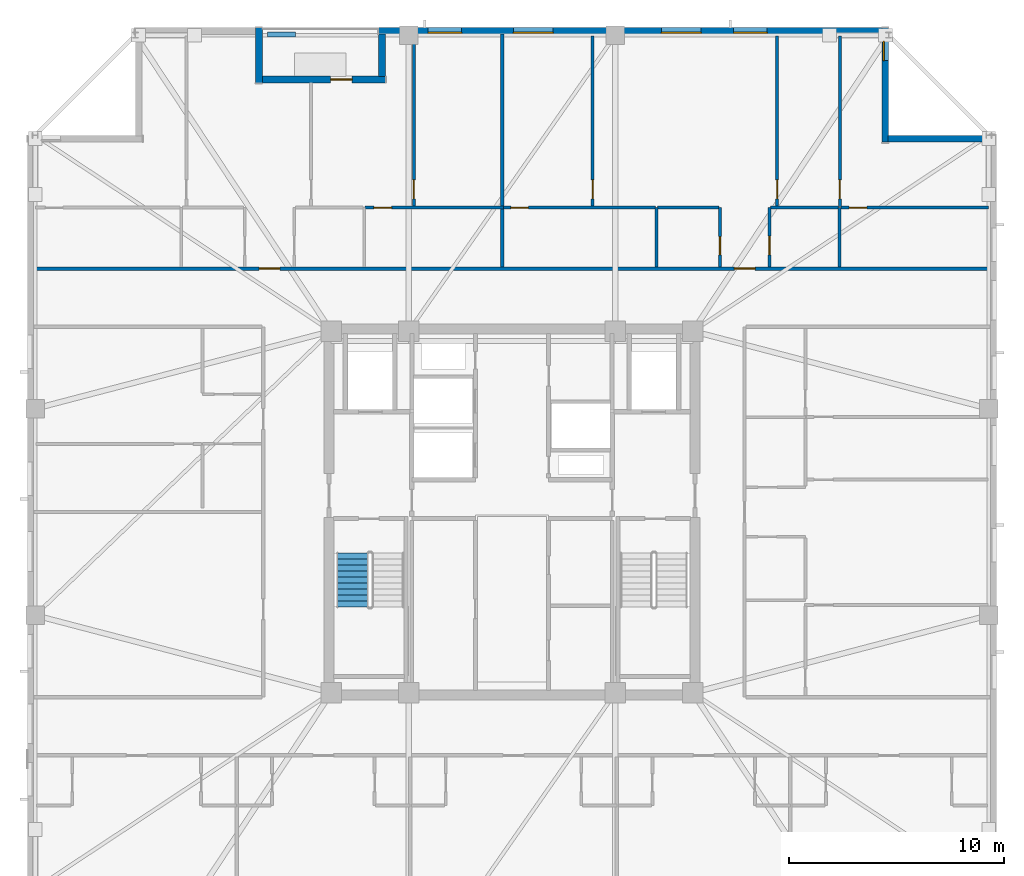
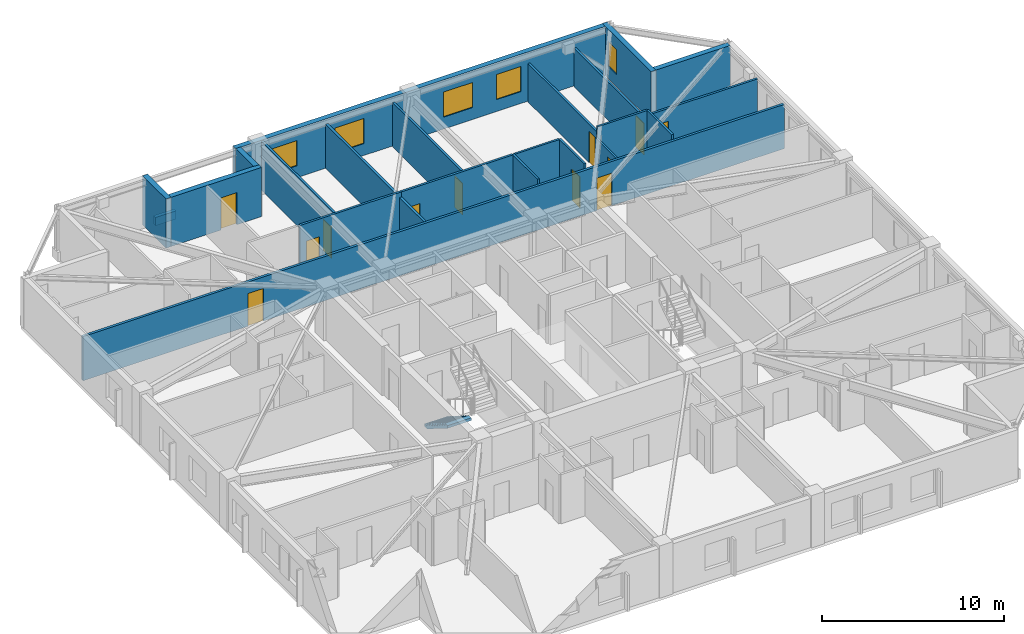
# One storey, part 11 of 17: 22 walls, 12 doors, 5 windows, 1 stair flight, 17 openings, 1 element without a shape of its own.
"""IFC4 building model written with IfcOpenShell, lengths in metres."""

import ifcopenshell
import ifcopenshell.guid

model = None  # the IFC model being written
_history = None  # IfcOwnerHistory: only IFC2X3 demands one
_inside = {}  # id of a spatial element -> (the spatial element, [elements in it])
_under = {}  # id of a project, library or spatial element -> (it, [spatial elements below it])
_declared = {}  # id of a project -> (the project, [libraries it declares])
_typed = {}  # id of a type object -> (the type object, [elements of that type])
_made_of = {}  # id of a material, layer set ... -> (it, [elements and type objects made of it])


def new_model(schema):
    """Start an empty IFC model of exactly this schema.

    Asked for "IFC4X3", IfcOpenShell would pick the latest addendum, in which some entities
    have other attributes; the version numbers below select the first issue.
    IFC2X3 requires an IfcOwnerHistory on every rooted entity: one is made here for all.
    """
    global model, _history
    if schema == "IFC4X3":
        model = ifcopenshell.file(schema_version=(4, 3, 0, 0))
    else:
        model = ifcopenshell.file(schema=schema)
    _inside.clear()
    _under.clear()
    _declared.clear()
    _typed.clear()
    _made_of.clear()
    _history = None
    if model.schema == "IFC2X3":
        org = make("IfcOrganization", Name="unknown")
        user = make(
            "IfcPersonAndOrganization",
            ThePerson=make("IfcPerson", FamilyName="unknown"),
            TheOrganization=org,
        )
        app = make(
            "IfcApplication",
            ApplicationDeveloper=org,
            Version="unknown",
            ApplicationFullName="unknown",
            ApplicationIdentifier="unknown",
        )
        _history = make(
            "IfcOwnerHistory",
            OwningUser=user,
            OwningApplication=app,
            ChangeAction="ADDED",
            CreationDate=0,
        )
    return model


def make(cls, **values):
    """One entity of the class cls with the attributes given. An attribute that is None is left unset."""
    return model.create_entity(
        cls, **{name: value for name, value in values.items() if value is not None}
    )


def rooted(cls, **values):
    """An entity with a GlobalId (a new one), such as an element, a storey or a relation."""
    return make(cls, GlobalId=ifcopenshell.guid.new(), OwnerHistory=_history, **values)


def si_unit(unit_type, name, prefix=None):
    """IfcSIUnit, for example si_unit("LENGTHUNIT", "METRE", prefix="MILLI")."""
    return make("IfcSIUnit", UnitType=unit_type, Prefix=prefix, Name=name)


def assignment(units):
    """IfcUnitAssignment: the units of a project."""
    return None if units is None else make("IfcUnitAssignment", Units=units)


def point(xyz):
    """IfcCartesianPoint."""
    return None if xyz is None else make("IfcCartesianPoint", Coordinates=xyz)


def direction(xyz):
    """IfcDirection."""
    return None if xyz is None else make("IfcDirection", DirectionRatios=xyz)


def frame(location, z_axis=None, x_axis=None):
    """IfcAxis2Placement3D, a coordinate frame: its origin and axes. An axis left out is left unset."""
    return make(
        "IfcAxis2Placement3D",
        Location=point(location),
        Axis=direction(z_axis),
        RefDirection=direction(x_axis),
    )


def frame_2d(location, x_axis=None):
    """IfcAxis2Placement2D, a coordinate frame in the plane: its origin and x axis."""
    return make(
        "IfcAxis2Placement2D", Location=point(location), RefDirection=direction(x_axis)
    )


def origin():
    """The frame at (0, 0, 0) with its axes left unset."""
    return frame((0.0, 0.0, 0.0))


def place(relative_to, where):
    """IfcLocalPlacement: puts the frame where relative to a parent placement (None: the world)."""
    return make(
        "IfcLocalPlacement", PlacementRelTo=relative_to, RelativePlacement=where
    )


def context(
    kind, dimensions, precision=None, world=None, true_north=None, identifier=None
):
    """IfcGeometricRepresentationContext, for example the 3D "Model" context."""
    return make(
        "IfcGeometricRepresentationContext",
        ContextIdentifier=identifier,
        ContextType=kind,
        CoordinateSpaceDimension=dimensions,
        Precision=precision,
        WorldCoordinateSystem=world,
        TrueNorth=true_north,
    )


def subcontext(parent, identifier, kind, view, scale=None):
    """IfcGeometricRepresentationSubContext, for example "Body" below "Model"."""
    return make(
        "IfcGeometricRepresentationSubContext",
        ContextIdentifier=identifier,
        ContextType=kind,
        ParentContext=parent,
        TargetScale=scale,
        TargetView=view,
    )


def project(units=None, contexts=None):
    """IfcProject with its units and contexts."""
    return rooted(
        "IfcProject",
        Name="project",
        RepresentationContexts=contexts,
        UnitsInContext=assignment(units),
    )


def spatial(cls, under=None, at=None, **own):
    """A site, building, storey or space (cls), placed at a placement, below another one or the project."""
    s = rooted(cls, ObjectPlacement=at, **own)
    if under is not None:
        _under.setdefault(under.id(), (under, []))[1].append(s)
    return s


def polyline(points):
    """IfcPolyline through the points."""
    return make("IfcPolyline", Points=[point(p) for p in points])


def profile(cls, at=None, kind="AREA", **sizes):
    """A parametric profile (cls). Its sizes go by their IFC names, for example OverallWidth=200.0."""
    return make(cls, ProfileType=kind, Position=at, **sizes)


def rectangle(**sizes):
    """IfcRectangleProfileDef."""
    return profile("IfcRectangleProfileDef", **sizes)


def outline(outer, holes=None, kind="AREA"):
    """IfcArbitraryClosedProfileDef: a profile drawn as a closed curve; with holes, ...WithVoids."""
    if holes is None:
        return make("IfcArbitraryClosedProfileDef", ProfileType=kind, OuterCurve=outer)
    return make(
        "IfcArbitraryProfileDefWithVoids",
        ProfileType=kind,
        OuterCurve=outer,
        InnerCurves=holes,
    )


def extrude(swept, where, along, depth):
    """IfcExtrudedAreaSolid: the profile swept, set in the frame where, extruded along a direction by depth."""
    return make(
        "IfcExtrudedAreaSolid",
        SweptArea=swept,
        Position=where,
        ExtrudedDirection=direction(along),
        Depth=depth,
    )


def shape(context_of_items, identifier, shape_type, items):
    """IfcShapeRepresentation: the items that make up one representation, for example the "Body"."""
    return make(
        "IfcShapeRepresentation",
        ContextOfItems=context_of_items,
        RepresentationIdentifier=identifier,
        RepresentationType=shape_type,
        Items=items,
    )


def material(Name=None, Category=None):
    """IfcMaterial."""
    return make("IfcMaterial", Name=Name, Category=Category)


def layer(
    of_material, thickness, ventilated=None, Name=None, Category=None, Priority=None
):
    """IfcMaterialLayer: one layer of a wall or slab, of a material (None: an air gap)."""
    return make(
        "IfcMaterialLayer",
        Material=of_material,
        LayerThickness=thickness,
        IsVentilated=ventilated,
        Name=Name,
        Category=Category,
        Priority=Priority,
    )


def layer_set(layers, Name=None):
    """IfcMaterialLayerSet."""
    return make("IfcMaterialLayerSet", MaterialLayers=layers, LayerSetName=Name)


def made_of(thing, what):
    """Note that an element or type object is made of a material, layer set ...; save() writes the relation."""
    if what is not None:
        _made_of.setdefault(what.id(), (what, []))[1].append(thing)
    return thing


def type_object(cls, material=None, **own):
    """A type object (cls), such as IfcWallType, which elements share."""
    return made_of(rooted(cls, **own), material)


def element(
    cls,
    number,
    at=None,
    inside=None,
    cuts=None,
    type_object=None,
    material=None,
    context=None,
    identifier="Body",
    shape_type=None,
    held_by="IfcProductDefinitionShape",
    body=None,
    shapes=None,
    **own,
):
    """One element of the class cls, such as IfcWall. Its Tag is "e" and its number.

    at: its placement. inside: the storey or other place that contains it. cuts: it is an
    opening in that element (IfcRelVoidsElement). A single representation is given by context,
    identifier, shape_type and body (its items); several are given by shapes. held_by: the class
    of the entity that holds the representations. save() writes the other relations.
    """
    e = rooted(cls, Tag="e%d" % number, ObjectPlacement=at, **own)
    if body is not None:
        shapes = [shape(context, identifier, shape_type, body)]
    if shapes is not None:
        e.Representation = make(held_by, Representations=shapes)
    if inside is not None:
        _inside.setdefault(inside.id(), (inside, []))[1].append(e)
    if cuts is not None:
        rooted(
            "IfcRelVoidsElement", RelatingBuildingElement=cuts, RelatedOpeningElement=e
        )
    if type_object is not None:
        _typed.setdefault(type_object.id(), (type_object, []))[1].append(e)
    return made_of(e, material)


def fill(opening, filler):
    """IfcRelFillsElement: the door or window that sits in an opening."""
    return rooted(
        "IfcRelFillsElement",
        RelatingOpeningElement=opening,
        RelatedBuildingElement=filler,
    )


def aggregate(whole, parts):
    """IfcRelAggregates: a whole, such as a stair, and the parts it consists of."""
    return rooted("IfcRelAggregates", RelatingObject=whole, RelatedObjects=parts)


def save(model, path):
    """Write the relations noted so far, then the file.

    IfcRelAggregates (storeys below a building ...), IfcRelContainedInSpatialStructure (elements
    in a storey), IfcRelDefinesByType, IfcRelAssociatesMaterial and IfcRelDeclares: one each for
    every whole, place, type object, material and project.
    """
    for whole, parts in _under.values():
        aggregate(whole, parts)
    for where, things in _inside.values():
        rooted(
            "IfcRelContainedInSpatialStructure",
            RelatedElements=things,
            RelatingStructure=where,
        )
    for kind, things in _typed.values():
        rooted("IfcRelDefinesByType", RelatedObjects=things, RelatingType=kind)
    for what, things in _made_of.values():
        rooted("IfcRelAssociatesMaterial", RelatedObjects=things, RelatingMaterial=what)
    for by, libraries in _declared.values():
        rooted("IfcRelDeclares", RelatingContext=by, RelatedDefinitions=libraries)
    model.write(path)


model = new_model("IFC4")

# Units and contexts
model_context = context("Model", 3, precision=1e-05, world=origin(), true_north=direction((0.0, 1.0)))
body_context = subcontext(model_context, "Body", "Model", "MODEL_VIEW")
ifc_project = project(units=[si_unit("LENGTHUNIT", "METRE"), si_unit("AREAUNIT", "SQUARE_METRE"), si_unit("VOLUMEUNIT", "CUBIC_METRE"), si_unit("PLANEANGLEUNIT", "RADIAN"), si_unit("MASSUNIT", "GRAM", prefix="KILO")], contexts=[model_context])

# Site, building, storey
site_placement = place(None, origin())
site = spatial("IfcSite", under=ifc_project, at=site_placement, CompositionType="ELEMENT")
building_placement = place(site_placement, origin())
building = spatial("IfcBuilding", under=site, at=building_placement, Name="Cairnveth Concourse Tower", CompositionType="ELEMENT")
storey_placement = place(building_placement, frame((0.0, 0.0, 220.0)))
storey = spatial("IfcBuildingStorey", under=building, at=storey_placement, Name="L60", CompositionType="ELEMENT", Elevation=220.0)

# Wall, openings, doors
ifc_material_1 = material(Name="Gypsum Plasterboard Partition", Category="gypsum")
ifc_layer_1 = layer(ifc_material_1, 0.159912109375)
ifc_layer_set_1 = layer_set([ifc_layer_1], Name="Gypsum Plasterboard Partition")
wall_type_1 = type_object("IfcWallType", Name="ACOUSTIC PARTY WALL 180", PredefinedType="PARTITIONING", material=ifc_layer_set_1)
wall_1_placement = place(storey_placement, frame((29.804931640625, 50.31005859375, 0.0), z_axis=(0.0, 0.0, 1.0), x_axis=(1.0, 0.0, 0.0)))
wall_1 = element("IfcWall", 1, at=wall_1_placement, inside=storey, type_object=wall_type_1, Name="Interior Wall IW-L60-035", PredefinedType="PARTITIONING", context=body_context, shape_type="SweptSolid", body=[
    extrude(rectangle(XDim=44.39013671875, YDim=0.159912109375, at=frame_2d((22.195068359375, 0.0))), origin(), (0.0, 0.0, 1.0), 2.9580078125),
])
opening_1_placement = place(wall_1_placement, frame((10.447509765625, 0.0, 0.0)))
opening_1 = element("IfcOpeningElement", 2, at=opening_1_placement, cuts=wall_1, Name="Opening ID10", PredefinedType="OPENING", context=body_context, shape_type="SweptSolid", body=[
    extrude(rectangle(XDim=0.9599609375, YDim=2.179931640625, at=frame_2d((0.47998046875, 1.08984375))), frame((0.0, 0.08984375, 0.0), z_axis=(0.0, -1.0, 0.0), x_axis=(1.0, 0.0, 0.0)), (0.0, 0.0, 1.0), 0.179931640625),
])
opening_2_placement = place(wall_1_placement, frame((32.527587890625, 0.0, 0.0)))
opening_2 = element("IfcOpeningElement", 3, at=opening_2_placement, cuts=wall_1, Name="Opening ID10", PredefinedType="OPENING", context=body_context, shape_type="SweptSolid", body=[
    extrude(rectangle(XDim=0.9599609375, YDim=2.179931640625, at=frame_2d((0.47998046875, 1.08984375))), frame((0.0, 0.08984375, 0.0), z_axis=(0.0, -1.0, 0.0), x_axis=(1.0, 0.0, 0.0)), (0.0, 0.0, 1.0), 0.179931640625),
])
ifc_material_2 = material(Name="Solid Core Hardwood Timber Leaf", Category="wood")
door_type_1 = type_object("IfcDoorType", Name="FLAT ENTRANCE DOOR 960X2150", OperationType="NOTDEFINED", PredefinedType="DOOR", material=ifc_material_2)
door_1_placement = place(opening_1_placement, origin())
door_1 = element("IfcDoor", 4, at=door_1_placement, inside=storey, type_object=door_type_1, Name="Apartment L60N1 Entrance Door", OperationType="SINGLE_SWING_LEFT", OverallHeight=2.179931640625, OverallWidth=0.9599609375, PredefinedType="DOOR", context=body_context, shape_type="SweptSolid", body=[
    extrude(rectangle(XDim=0.9599609375, YDim=2.179931640625, at=frame_2d((0.47998046875, 1.08984375))), frame((0.0, 0.02490234375, 0.0), z_axis=(0.0, -1.0, 0.0), x_axis=(1.0, 0.0, 0.0)), (0.0, 0.0, 1.0), 0.050048828125),
])
fill(opening_1, door_1)
door_2_placement = place(opening_2_placement, origin())
door_2 = element("IfcDoor", 5, at=door_2_placement, inside=storey, type_object=door_type_1, Name="Apartment L60N2 Entrance Door", OperationType="SINGLE_SWING_LEFT", OverallHeight=2.179931640625, OverallWidth=0.9599609375, PredefinedType="DOOR", context=body_context, shape_type="SweptSolid", body=[
    extrude(rectangle(XDim=0.9599609375, YDim=2.179931640625, at=frame_2d((0.47998046875, 1.08984375))), frame((0.0, 0.02490234375, 0.0), z_axis=(0.0, -1.0, 0.0), x_axis=(1.0, 0.0, 0.0)), (0.0, 0.0, 1.0), 0.050048828125),
])
fill(opening_2, door_2)

# Wall
wall_2_placement = place(storey_placement, frame((51.544921875, 50.375, 0.0), z_axis=(0.0, 0.0, 1.0), x_axis=(0.0, 1.0, 0.0)))
element("IfcWall", 6, at=wall_2_placement, inside=storey, type_object=wall_type_1, Name="Interior Wall IW-L60-077", PredefinedType="PARTITIONING", context=body_context, shape_type="SweptSolid", body=[
    extrude(rectangle(XDim=10.820068359375, YDim=0.159912109375, at=frame_2d((5.41015625, 0.0))), origin(), (0.0, 0.0, 1.0), 2.9580078125),
])

# Wall, opening, door
ifc_layer_2 = layer(ifc_material_1, 0.139892578125)
ifc_layer_set_2 = layer_set([ifc_layer_2], Name="Gypsum Plasterboard Partition")
wall_type_2 = type_object("IfcWallType", Name="GYPSUM STUD PARTITION 140", PredefinedType="PARTITIONING", material=ifc_layer_set_2)
wall_3_placement = place(storey_placement, frame((47.445068359375, 53.10009765625, 0.0), z_axis=(0.0, 0.0, 1.0), x_axis=(0.0, 1.0, 0.0)))
wall_3 = element("IfcWall", 7, at=wall_3_placement, inside=storey, type_object=wall_type_2, Name="Interior Wall IW-L60-074", PredefinedType="PARTITIONING", context=body_context, shape_type="SweptSolid", body=[
    extrude(rectangle(XDim=8.02001953125, YDim=0.139892578125, at=frame_2d((4.010009765625, 0.0))), origin(), (0.0, 0.0, 1.0), 3.2900390625),
])
opening_3_placement = place(wall_3_placement, frame((0.449951171875, 0.0, 0.0)))
opening_3 = element("IfcOpeningElement", 8, at=opening_3_placement, cuts=wall_3, Name="Opening ID18", PredefinedType="OPENING", context=body_context, shape_type="SweptSolid", body=[
    extrude(rectangle(XDim=0.8798828125, YDim=2.10009765625, at=frame_2d((0.43994140625, 1.050048828125))), frame((0.0, 0.079833984375, 0.0), z_axis=(0.0, -1.0, 0.0), x_axis=(1.0, 0.0, 0.0)), (0.0, 0.0, 1.0), 0.159912109375),
])
door_type_2 = type_object("IfcDoorType", Name="INTERIOR SINGLE DOOR 880X2100", OperationType="NOTDEFINED", PredefinedType="DOOR", material=ifc_material_2)
door_3_placement = place(opening_3_placement, origin())
door_3 = element("IfcDoor", 9, at=door_3_placement, inside=storey, type_object=door_type_2, Name="L60N1 Bedroom 2 Door", OperationType="SINGLE_SWING_LEFT", OverallHeight=2.10009765625, OverallWidth=0.8798828125, PredefinedType="DOOR", context=body_context, shape_type="SweptSolid", body=[
    extrude(rectangle(XDim=0.8798828125, YDim=2.10009765625, at=frame_2d((0.43994140625, 1.050048828125))), frame((0.0, 0.02490234375, 0.0), z_axis=(0.0, -1.0, 0.0), x_axis=(1.0, 0.0, 0.0)), (0.0, 0.0, 1.0), 0.050048828125),
])
fill(opening_3, door_3)

wall_4_placement = place(storey_placement, frame((45.1826171875, 53.139892578125, 0.0), z_axis=(0.0, 0.0, 1.0), x_axis=(1.0, 0.0, 0.0)))
wall_4 = element("IfcWall", 10, at=wall_4_placement, inside=storey, type_object=wall_type_2, Name="Interior Wall IW-L60-075", PredefinedType="PARTITIONING", context=body_context, shape_type="SweptSolid", body=[
    extrude(rectangle(XDim=6.412353515625, YDim=0.139892578125, at=frame_2d((3.2060546875, 0.0))), origin(), (0.0, 0.0, 1.0), 3.2900390625),
])
opening_4_placement = place(wall_4_placement, frame((0.39990234375, 0.0, 0.0)))
opening_4 = element("IfcOpeningElement", 11, at=opening_4_placement, cuts=wall_4, Name="Opening ID22", PredefinedType="OPENING", context=body_context, shape_type="SweptSolid", body=[
    extrude(rectangle(XDim=0.820068359375, YDim=2.10009765625, at=frame_2d((0.41015625, 1.050048828125))), frame((0.0, 0.079833984375, 0.0), z_axis=(0.0, -1.0, 0.0), x_axis=(1.0, 0.0, 0.0)), (0.0, 0.0, 1.0), 0.159912109375),
])
door_type_3 = type_object("IfcDoorType", Name="INTERIOR WC DOOR 820X2100", OperationType="NOTDEFINED", PredefinedType="DOOR", material=ifc_material_2)
door_4_placement = place(opening_4_placement, origin())
door_4 = element("IfcDoor", 12, at=door_4_placement, inside=storey, type_object=door_type_3, Name="L60N1 Utility Door", OperationType="SINGLE_SWING_RIGHT", OverallHeight=2.10009765625, OverallWidth=0.820068359375, PredefinedType="DOOR", context=body_context, shape_type="SweptSolid", body=[
    extrude(rectangle(XDim=0.820068359375, YDim=2.10009765625, at=frame_2d((0.41015625, 1.050048828125))), frame((0.0, 0.02490234375, 0.0), z_axis=(0.0, -1.0, 0.0), x_axis=(1.0, 0.0, 0.0)), (0.0, 0.0, 1.0), 0.050048828125),
])
fill(opening_4, door_4)

wall_5_placement = place(storey_placement, frame((55.7451171875, 53.10009765625, 0.0), z_axis=(0.0, 0.0, 1.0), x_axis=(0.0, 1.0, 0.0)))
wall_5 = element("IfcWall", 13, at=wall_5_placement, inside=storey, type_object=wall_type_2, Name="Interior Wall IW-L60-084", PredefinedType="PARTITIONING", context=body_context, shape_type="SweptSolid", body=[
    extrude(rectangle(XDim=8.02001953125, YDim=0.139892578125, at=frame_2d((4.010009765625, 0.0))), origin(), (0.0, 0.0, 1.0), 2.9580078125),
])
opening_5_placement = place(wall_5_placement, frame((0.449951171875, 0.0, 0.0)))
opening_5 = element("IfcOpeningElement", 14, at=opening_5_placement, cuts=wall_5, Name="Opening ID18", PredefinedType="OPENING", context=body_context, shape_type="SweptSolid", body=[
    extrude(rectangle(XDim=0.8798828125, YDim=2.10009765625, at=frame_2d((0.43994140625, 1.050048828125))), frame((0.0, 0.079833984375, 0.0), z_axis=(0.0, -1.0, 0.0), x_axis=(1.0, 0.0, 0.0)), (0.0, 0.0, 1.0), 0.159912109375),
])
door_5_placement = place(opening_5_placement, origin())
door_5 = element("IfcDoor", 15, at=door_5_placement, inside=storey, type_object=door_type_2, Name="L60N2 Master Bedroom Door", OperationType="SINGLE_SWING_LEFT", OverallHeight=2.10009765625, OverallWidth=0.8798828125, PredefinedType="DOOR", context=body_context, shape_type="SweptSolid", body=[
    extrude(rectangle(XDim=0.8798828125, YDim=2.10009765625, at=frame_2d((0.43994140625, 1.050048828125))), frame((0.0, 0.02490234375, 0.0), z_axis=(0.0, -1.0, 0.0), x_axis=(1.0, 0.0, 0.0)), (0.0, 0.0, 1.0), 0.050048828125),
])
fill(opening_5, door_5)

wall_6_placement = place(storey_placement, frame((51.610107421875, 53.139892578125, 0.0), z_axis=(0.0, 0.0, 1.0), x_axis=(1.0, 0.0, 0.0)))
wall_6 = element("IfcWall", 16, at=wall_6_placement, inside=storey, type_object=wall_type_2, Name="Interior Wall IW-L60-085", PredefinedType="PARTITIONING", context=body_context, shape_type="SweptSolid", body=[
    extrude(rectangle(XDim=7.052490234375, YDim=0.139892578125, at=frame_2d((3.5263671875, 0.0))), origin(), (0.0, 0.0, 1.0), 3.2900390625),
])
opening_6_placement = place(wall_6_placement, frame((0.3349609375, 0.0, 0.0)))
opening_6 = element("IfcOpeningElement", 17, at=opening_6_placement, cuts=wall_6, Name="Opening ID22", PredefinedType="OPENING", context=body_context, shape_type="SweptSolid", body=[
    extrude(rectangle(XDim=0.820068359375, YDim=2.10009765625, at=frame_2d((0.41015625, 1.050048828125))), frame((0.0, 0.079833984375, 0.0), z_axis=(0.0, -1.0, 0.0), x_axis=(1.0, 0.0, 0.0)), (0.0, 0.0, 1.0), 0.159912109375),
])
door_6_placement = place(opening_6_placement, origin())
door_6 = element("IfcDoor", 18, at=door_6_placement, inside=storey, type_object=door_type_3, Name="L60N2 Dressing Door", OperationType="SINGLE_SWING_RIGHT", OverallHeight=2.10009765625, OverallWidth=0.820068359375, PredefinedType="DOOR", context=body_context, shape_type="SweptSolid", body=[
    extrude(rectangle(XDim=0.820068359375, YDim=2.10009765625, at=frame_2d((0.41015625, 1.050048828125))), frame((0.0, 0.02490234375, 0.0), z_axis=(0.0, -1.0, 0.0), x_axis=(1.0, 0.0, 0.0)), (0.0, 0.0, 1.0), 0.050048828125),
])
fill(opening_6, door_6)

wall_7_placement = place(storey_placement, frame((67.22998046875, 53.18994140625, 0.0), z_axis=(0.0, 0.0, 1.0), x_axis=(0.0, 1.0, 0.0)))
wall_7 = element("IfcWall", 19, at=wall_7_placement, inside=storey, type_object=wall_type_2, Name="Interior Wall IW-L60-086", PredefinedType="PARTITIONING", context=body_context, shape_type="SweptSolid", body=[
    extrude(rectangle(XDim=7.93017578125, YDim=0.139892578125, at=frame_2d((3.965087890625, 0.0))), origin(), (0.0, 0.0, 1.0), 2.572998046875),
])
opening_7_placement = place(wall_7_placement, frame((0.360107421875, 0.0, 0.0)))
opening_7 = element("IfcOpeningElement", 20, at=opening_7_placement, cuts=wall_7, Name="Opening ID18", PredefinedType="OPENING", context=body_context, shape_type="SweptSolid", body=[
    extrude(rectangle(XDim=0.8798828125, YDim=2.10009765625, at=frame_2d((0.43994140625, 1.050048828125))), frame((0.0, 0.079833984375, 0.0), z_axis=(0.0, -1.0, 0.0), x_axis=(1.0, 0.0, 0.0)), (0.0, 0.0, 1.0), 0.159912109375),
])
door_7_placement = place(opening_7_placement, origin())
door_7 = element("IfcDoor", 21, at=door_7_placement, inside=storey, type_object=door_type_2, Name="L60N2 Bedroom 2 Door", OperationType="SINGLE_SWING_LEFT", OverallHeight=2.10009765625, OverallWidth=0.8798828125, PredefinedType="DOOR", context=body_context, shape_type="SweptSolid", body=[
    extrude(rectangle(XDim=0.8798828125, YDim=2.10009765625, at=frame_2d((0.43994140625, 1.050048828125))), frame((0.0, 0.02490234375, 0.0), z_axis=(0.0, -1.0, 0.0), x_axis=(1.0, 0.0, 0.0)), (0.0, 0.0, 1.0), 0.050048828125),
])
fill(opening_7, door_7)

wall_8_placement = place(storey_placement, frame((67.284912109375, 53.139892578125, 0.0), z_axis=(0.0, 0.0, 1.0), x_axis=(1.0, 0.0, 0.0)))
wall_8 = element("IfcWall", 22, at=wall_8_placement, inside=storey, type_object=wall_type_2, Name="Interior Wall IW-L60-087", PredefinedType="PARTITIONING", context=body_context, shape_type="SweptSolid", body=[
    extrude(rectangle(XDim=6.844970703125, YDim=0.139892578125, at=frame_2d((3.42236328125, 0.0))), origin(), (0.0, 0.0, 1.0), 2.9580078125),
])
opening_8_placement = place(wall_8_placement, frame((0.37744140625, 0.0, 0.0)))
opening_8 = element("IfcOpeningElement", 23, at=opening_8_placement, cuts=wall_8, Name="Opening ID22", PredefinedType="OPENING", context=body_context, shape_type="SweptSolid", body=[
    extrude(rectangle(XDim=0.820068359375, YDim=2.10009765625, at=frame_2d((0.41015625, 1.050048828125))), frame((0.0, 0.079833984375, 0.0), z_axis=(0.0, -1.0, 0.0), x_axis=(1.0, 0.0, 0.0)), (0.0, 0.0, 1.0), 0.159912109375),
])
door_8_placement = place(opening_8_placement, origin())
door_8 = element("IfcDoor", 24, at=door_8_placement, inside=storey, type_object=door_type_3, Name="L60N2 Utility Door", OperationType="SINGLE_SWING_RIGHT", OverallHeight=2.10009765625, OverallWidth=0.820068359375, PredefinedType="DOOR", context=body_context, shape_type="SweptSolid", body=[
    extrude(rectangle(XDim=0.820068359375, YDim=2.10009765625, at=frame_2d((0.41015625, 1.050048828125))), frame((0.0, 0.02490234375, 0.0), z_axis=(0.0, -1.0, 0.0), x_axis=(1.0, 0.0, 0.0)), (0.0, 0.0, 1.0), 0.050048828125),
])
fill(opening_8, door_8)

wall_9_placement = place(storey_placement, frame((64.3125, 53.18994140625, 0.0), z_axis=(0.0, 0.0, 1.0), x_axis=(0.0, 1.0, 0.0)))
wall_9 = element("IfcWall", 25, at=wall_9_placement, inside=storey, type_object=wall_type_2, Name="Interior Wall IW-L60-088", PredefinedType="PARTITIONING", context=body_context, shape_type="SweptSolid", body=[
    extrude(rectangle(XDim=7.93017578125, YDim=0.139892578125, at=frame_2d((3.965087890625, 0.0))), origin(), (0.0, 0.0, 1.0), 2.572998046875),
])
opening_9_placement = place(wall_9_placement, frame((0.360107421875, 0.0, 0.0)))
opening_9 = element("IfcOpeningElement", 26, at=opening_9_placement, cuts=wall_9, Name="Opening ID18", PredefinedType="OPENING", context=body_context, shape_type="SweptSolid", body=[
    extrude(rectangle(XDim=0.8798828125, YDim=2.10009765625, at=frame_2d((0.43994140625, 1.050048828125))), frame((0.0, 0.079833984375, 0.0), z_axis=(0.0, -1.0, 0.0), x_axis=(1.0, 0.0, 0.0)), (0.0, 0.0, 1.0), 0.159912109375),
])
door_9_placement = place(opening_9_placement, origin())
door_9 = element("IfcDoor", 27, at=door_9_placement, inside=storey, type_object=door_type_2, Name="L60N2 Media Lounge Door", OperationType="SINGLE_SWING_RIGHT", OverallHeight=2.10009765625, OverallWidth=0.8798828125, PredefinedType="DOOR", context=body_context, shape_type="SweptSolid", body=[
    extrude(rectangle(XDim=0.8798828125, YDim=2.10009765625, at=frame_2d((0.43994140625, 1.050048828125))), frame((0.0, 0.02490234375, 0.0), z_axis=(0.0, -1.0, 0.0), x_axis=(1.0, 0.0, 0.0)), (0.0, 0.0, 1.0), 0.050048828125),
])
fill(opening_9, door_9)

# Walls
ifc_material_3 = material(Name="Dressed Melbourne Bluestone Cladding", Category="masonry")
ifc_layer_3 = layer(ifc_material_3, 0.219970703125)
ifc_layer_set_3 = layer_set([ifc_layer_3], Name="Dressed Melbourne Bluestone Cladding")
wall_type_3 = type_object("IfcWallType", Name="TERRACE PLANTER CURB WALL 220", PredefinedType="PARAPET", material=ifc_layer_set_3)
wall_10_placement = place(storey_placement, frame((40.64990234375, 61.179931640625, 0.0), z_axis=(0.0, 0.0, 1.0), x_axis=(1.0, 0.0, 0.0)))
element("IfcWall", 28, at=wall_10_placement, inside=storey, type_object=wall_type_3, Name="Exterior Wall PLNT-L60-TERR", PredefinedType="PARAPET", context=body_context, shape_type="SweptSolid", body=[
    extrude(rectangle(XDim=1.300048828125, YDim=0.219970703125, at=frame_2d((0.64990234375, 0.0))), origin(), (0.0, 0.0, 1.0), 0.550048828125),
])
ifc_layer_4 = layer(ifc_material_1, 0.1298828125)
ifc_layer_set_4 = layer_set([ifc_layer_4], Name="Gypsum Plasterboard Partition")
wall_type_4 = type_object("IfcWallType", Name="WET AREA PARTITION 140", PredefinedType="PLUMBINGWALL", material=ifc_layer_set_4)
wall_11_placement = place(storey_placement, frame((58.71240234375, 50.389892578125, 0.0), z_axis=(0.0, 0.0, 1.0), x_axis=(0.0, 1.0, 0.0)))
element("IfcWall", 29, at=wall_11_placement, inside=storey, type_object=wall_type_4, Name="Interior Wall IW-L60-078", PredefinedType="PLUMBINGWALL", context=body_context, shape_type="SweptSolid", body=[
    extrude(rectangle(XDim=2.75, YDim=0.1298828125, at=frame_2d((1.375, 0.0))), origin(), (0.0, 0.0, 1.0), 3.2900390625),
])

# Wall, opening, door
wall_12_placement = place(storey_placement, frame((61.66259765625, 50.389892578125, 0.0), z_axis=(0.0, 0.0, 1.0), x_axis=(0.0, 1.0, 0.0)))
wall_12 = element("IfcWall", 30, at=wall_12_placement, inside=storey, type_object=wall_type_4, Name="Interior Wall IW-L60-079", PredefinedType="PLUMBINGWALL", context=body_context, shape_type="SweptSolid", body=[
    extrude(rectangle(XDim=2.75, YDim=0.1298828125, at=frame_2d((1.375, 0.0))), origin(), (0.0, 0.0, 1.0), 3.2900390625),
])
opening_10_placement = place(wall_12_placement, frame((0.550048828125, 0.0, 0.0)))
opening_10 = element("IfcOpeningElement", 31, at=opening_10_placement, cuts=wall_12, Name="Opening ID21", PredefinedType="OPENING", context=body_context, shape_type="SweptSolid", body=[
    extrude(rectangle(XDim=0.85009765625, YDim=2.080078125, at=frame_2d((0.425048828125, 1.0400390625))), frame((0.0, 0.074951171875, 0.0), z_axis=(0.0, -1.0, 0.0), x_axis=(1.0, 0.0, 0.0)), (0.0, 0.0, 1.0), 0.14990234375),
])
door_type_4 = type_object("IfcDoorType", Name="INTERIOR WC DOOR 850X2100", OperationType="NOTDEFINED", PredefinedType="DOOR", material=ifc_material_2)
door_10_placement = place(opening_10_placement, origin())
door_10 = element("IfcDoor", 32, at=door_10_placement, inside=storey, type_object=door_type_4, Name="L60N2 Bathroom Door", OperationType="SINGLE_SWING_RIGHT", OverallHeight=2.080078125, OverallWidth=0.85009765625, PredefinedType="DOOR", context=body_context, shape_type="SweptSolid", body=[
    extrude(rectangle(XDim=0.85009765625, YDim=2.080078125, at=frame_2d((0.425048828125, 1.0400390625))), frame((0.0, 0.02490234375, 0.0), z_axis=(0.0, -1.0, 0.0), x_axis=(1.0, 0.0, 0.0)), (0.0, 0.0, 1.0), 0.050048828125),
])
fill(opening_10, door_10)

# Walls
wall_13_placement = place(storey_placement, frame((58.762451171875, 53.139892578125, 0.0), z_axis=(0.0, 0.0, 1.0), x_axis=(1.0, 0.0, 0.0)))
element("IfcWall", 33, at=wall_13_placement, inside=storey, type_object=wall_type_4, Name="Interior Wall IW-L60-080", PredefinedType="PLUMBINGWALL", context=body_context, shape_type="SweptSolid", body=[
    extrude(rectangle(XDim=2.85009765625, YDim=0.1298828125, at=frame_2d((1.425048828125, 0.0))), origin(), (0.0, 0.0, 1.0), 3.2900390625),
])
wall_14_placement = place(storey_placement, frame((67.21240234375, 50.389892578125, 0.0), z_axis=(0.0, 0.0, 1.0), x_axis=(0.0, 1.0, 0.0)))
element("IfcWall", 34, at=wall_14_placement, inside=storey, type_object=wall_type_4, Name="Interior Wall IW-L60-081", PredefinedType="PLUMBINGWALL", context=body_context, shape_type="SweptSolid", body=[
    extrude(rectangle(XDim=2.75, YDim=0.1298828125, at=frame_2d((1.375, 0.0))), origin(), (0.0, 0.0, 1.0), 3.2900390625),
])

# Wall, opening, door
wall_15_placement = place(storey_placement, frame((63.96240234375, 50.389892578125, 0.0), z_axis=(0.0, 0.0, 1.0), x_axis=(0.0, 1.0, 0.0)))
wall_15 = element("IfcWall", 35, at=wall_15_placement, inside=storey, type_object=wall_type_4, Name="Interior Wall IW-L60-082", PredefinedType="PLUMBINGWALL", context=body_context, shape_type="SweptSolid", body=[
    extrude(rectangle(XDim=2.75, YDim=0.1298828125, at=frame_2d((1.375, 0.0))), origin(), (0.0, 0.0, 1.0), 2.572998046875),
])
opening_11_placement = place(wall_15_placement, frame((0.550048828125, 0.0, 0.0)))
opening_11 = element("IfcOpeningElement", 36, at=opening_11_placement, cuts=wall_15, Name="Opening ID18", PredefinedType="OPENING", context=body_context, shape_type="SweptSolid", body=[
    extrude(rectangle(XDim=0.8798828125, YDim=2.10009765625, at=frame_2d((0.43994140625, 1.050048828125))), frame((0.0, 0.074951171875, 0.0), z_axis=(0.0, -1.0, 0.0), x_axis=(1.0, 0.0, 0.0)), (0.0, 0.0, 1.0), 0.14990234375),
])
door_11_placement = place(opening_11_placement, origin())
door_11 = element("IfcDoor", 37, at=door_11_placement, inside=storey, type_object=door_type_2, Name="L60N2 Kitchen Door", OperationType="SINGLE_SWING_LEFT", OverallHeight=2.10009765625, OverallWidth=0.8798828125, PredefinedType="DOOR", context=body_context, shape_type="SweptSolid", body=[
    extrude(rectangle(XDim=0.8798828125, YDim=2.10009765625, at=frame_2d((0.43994140625, 1.050048828125))), frame((0.0, 0.02490234375, 0.0), z_axis=(0.0, -1.0, 0.0), x_axis=(1.0, 0.0, 0.0)), (0.0, 0.0, 1.0), 0.050048828125),
])
fill(opening_11, door_11)

# Wall
wall_16_placement = place(storey_placement, frame((64.012451171875, 53.139892578125, 0.0), z_axis=(0.0, 0.0, 1.0), x_axis=(1.0, 0.0, 0.0)))
element("IfcWall", 38, at=wall_16_placement, inside=storey, type_object=wall_type_4, Name="Interior Wall IW-L60-083", PredefinedType="PLUMBINGWALL", context=body_context, shape_type="SweptSolid", body=[
    extrude(rectangle(XDim=3.150146484375, YDim=0.1298828125, at=frame_2d((1.5751953125, 0.0))), origin(), (0.0, 0.0, 1.0), 3.2900390625),
])

# Wall, openings, windows
ifc_material_4 = material(Name="Melbourne Buff Fired Clay Brick Masonry", Category="masonry")
ifc_layer_5 = layer(ifc_material_4, 0.320068359375)
ifc_layer_set_5 = layer_set([ifc_layer_5], Name="Melbourne Buff Fired Clay Brick Masonry")
wall_type_5 = type_object("IfcWallType", Name="ZONE 3 BRICK PIER SPANDREL WALL 320", PredefinedType="SOLIDWALL", material=ifc_layer_set_5)
wall_17_placement = place(storey_placement, frame((45.800048828125, 61.340087890625, 0.0), z_axis=(0.0, 0.0, 1.0), x_axis=(1.0, 0.0, 0.0)))
wall_17 = element("IfcWall", 39, at=wall_17_placement, inside=storey, type_object=wall_type_5, Name="Exterior Wall EW-L60-S00", PredefinedType="SOLIDWALL", context=body_context, shape_type="SweptSolid", body=[
    extrude(rectangle(XDim=23.40185546875, YDim=0.320068359375, at=frame_2d((11.700927734375, 0.0))), origin(), (0.0, 0.0, 1.0), 3.2900390625),
])
opening_12_placement = place(wall_17_placement, frame((2.30517578125, 0.0, 0.800048828125)))
opening_12 = element("IfcOpeningElement", 40, at=opening_12_placement, cuts=wall_17, Name="Opening W07", PredefinedType="OPENING", context=body_context, shape_type="SweptSolid", body=[
    extrude(rectangle(XDim=1.550048828125, YDim=1.677978515625, at=frame_2d((0.77490234375, 0.8388671875))), frame((0.0, 0.169921875, 0.0), z_axis=(0.0, -1.0, 0.0), x_axis=(1.0, 0.0, 0.0)), (0.0, 0.0, 1.0), 0.340087890625),
])
opening_13_placement = place(wall_17_placement, frame((6.265625, 0.0, 0.800048828125)))
opening_13 = element("IfcOpeningElement", 41, at=opening_13_placement, cuts=wall_17, Name="Opening W08", PredefinedType="OPENING", context=body_context, shape_type="SweptSolid", body=[
    extrude(rectangle(XDim=1.85009765625, YDim=1.677978515625, at=frame_2d((0.925048828125, 0.8388671875))), frame((0.0, 0.169921875, 0.0), z_axis=(0.0, -1.0, 0.0), x_axis=(1.0, 0.0, 0.0)), (0.0, 0.0, 1.0), 0.340087890625),
])
opening_14_placement = place(wall_17_placement, frame((13.136474609375, 0.0, 0.800048828125)))
opening_14 = element("IfcOpeningElement", 42, at=opening_14_placement, cuts=wall_17, Name="Opening W08", PredefinedType="OPENING", context=body_context, shape_type="SweptSolid", body=[
    extrude(rectangle(XDim=1.85009765625, YDim=1.677978515625, at=frame_2d((0.925048828125, 0.8388671875))), frame((0.0, 0.169921875, 0.0), z_axis=(0.0, -1.0, 0.0), x_axis=(1.0, 0.0, 0.0)), (0.0, 0.0, 1.0), 0.340087890625),
])
opening_15_placement = place(wall_17_placement, frame((16.496826171875, 0.0, 0.800048828125)))
opening_15 = element("IfcOpeningElement", 43, at=opening_15_placement, cuts=wall_17, Name="Opening W07", PredefinedType="OPENING", context=body_context, shape_type="SweptSolid", body=[
    extrude(rectangle(XDim=1.550048828125, YDim=1.677978515625, at=frame_2d((0.77490234375, 0.8388671875))), frame((0.0, 0.169921875, 0.0), z_axis=(0.0, -1.0, 0.0), x_axis=(1.0, 0.0, 0.0)), (0.0, 0.0, 1.0), 0.340087890625),
])
ifc_material_5 = material(Name="Double Glazed Low-E Clear Glass", Category="glass")
window_type_1 = type_object("IfcWindowType", Name="DEEP-SET APARTMENT LIVING WINDOW 1850X1850", PartitioningType="DOUBLE_PANEL_VERTICAL", PredefinedType="WINDOW", material=ifc_material_5)
window_1_placement = place(opening_13_placement, origin())
window_1 = element("IfcWindow", 44, at=window_1_placement, inside=storey, type_object=window_type_1, Name="Gothic Lancet Window L60-0-2", OverallHeight=1.677978515625, OverallWidth=1.85009765625, PartitioningType="SINGLE_PANEL", PredefinedType="WINDOW", context=body_context, shape_type="SweptSolid", body=[
    extrude(rectangle(XDim=1.85009765625, YDim=1.677978515625, at=frame_2d((0.925048828125, 0.8388671875))), frame((0.0, -0.050048828125, 0.0), z_axis=(0.0, -1.0, 0.0), x_axis=(1.0, 0.0, 0.0)), (0.0, 0.0, 1.0), 0.06005859375),
])
fill(opening_13, window_1)
window_2_placement = place(opening_14_placement, origin())
window_2 = element("IfcWindow", 45, at=window_2_placement, inside=storey, type_object=window_type_1, Name="Gothic Lancet Window L60-0-4", OverallHeight=1.677978515625, OverallWidth=1.85009765625, PartitioningType="SINGLE_PANEL", PredefinedType="WINDOW", context=body_context, shape_type="SweptSolid", body=[
    extrude(rectangle(XDim=1.85009765625, YDim=1.677978515625, at=frame_2d((0.925048828125, 0.8388671875))), frame((0.0, -0.050048828125, 0.0), z_axis=(0.0, -1.0, 0.0), x_axis=(1.0, 0.0, 0.0)), (0.0, 0.0, 1.0), 0.06005859375),
])
fill(opening_14, window_2)
window_type_2 = type_object("IfcWindowType", Name="DEEP-SET APARTMENT WINDOW 1550X1800", PartitioningType="DOUBLE_PANEL_VERTICAL", PredefinedType="WINDOW", material=ifc_material_5)
window_3_placement = place(opening_12_placement, origin())
window_3 = element("IfcWindow", 46, at=window_3_placement, inside=storey, type_object=window_type_2, Name="Gothic Lancet Window L60-0-1", OverallHeight=1.677978515625, OverallWidth=1.550048828125, PartitioningType="SINGLE_PANEL", PredefinedType="WINDOW", context=body_context, shape_type="SweptSolid", body=[
    extrude(rectangle(XDim=1.550048828125, YDim=1.677978515625, at=frame_2d((0.77490234375, 0.8388671875))), frame((0.0, -0.050048828125, 0.0), z_axis=(0.0, -1.0, 0.0), x_axis=(1.0, 0.0, 0.0)), (0.0, 0.0, 1.0), 0.06005859375),
])
fill(opening_12, window_3)
window_4_placement = place(opening_15_placement, origin())
window_4 = element("IfcWindow", 47, at=window_4_placement, inside=storey, type_object=window_type_2, Name="Gothic Lancet Window L60-0-5", OverallHeight=1.677978515625, OverallWidth=1.550048828125, PartitioningType="SINGLE_PANEL", PredefinedType="WINDOW", context=body_context, shape_type="SweptSolid", body=[
    extrude(rectangle(XDim=1.550048828125, YDim=1.677978515625, at=frame_2d((0.77490234375, 0.8388671875))), frame((0.0, -0.050048828125, 0.0), z_axis=(0.0, -1.0, 0.0), x_axis=(1.0, 0.0, 0.0)), (0.0, 0.0, 1.0), 0.06005859375),
])
fill(opening_15, window_4)

# Wall, opening, window
wall_18_placement = place(storey_placement, frame((69.340087890625, 61.5, 0.0), z_axis=(0.0, 0.0, 1.0), x_axis=(0.0, -1.0, 0.0)))
wall_18 = element("IfcWall", 48, at=wall_18_placement, inside=storey, type_object=wall_type_5, Name="Exterior Wall EW-L60-S01", PredefinedType="SOLIDWALL", context=body_context, shape_type="SweptSolid", body=[
    extrude(rectangle(XDim=5.320068359375, YDim=0.320068359375, at=frame_2d((2.66015625, 0.0))), origin(), (0.0, 0.0, 1.0), 3.2900390625),
])
opening_16_placement = place(wall_18_placement, frame((0.6298828125, 0.0, 0.800048828125)))
opening_16 = element("IfcOpeningElement", 49, at=opening_16_placement, cuts=wall_18, Name="Opening W13", PredefinedType="OPENING", context=body_context, shape_type="SweptSolid", body=[
    extrude(rectangle(XDim=0.89990234375, YDim=1.677978515625, at=frame_2d((0.449951171875, 0.8388671875))), frame((0.0, 0.169921875, 0.0), z_axis=(0.0, -1.0, 0.0), x_axis=(1.0, 0.0, 0.0)), (0.0, 0.0, 1.0), 0.340087890625),
])
window_type_3 = type_object("IfcWindowType", Name="DEEP-SET BEDROOM LANCET WINDOW 900X1750", PartitioningType="DOUBLE_PANEL_VERTICAL", PredefinedType="WINDOW", material=ifc_material_5)
window_5_placement = place(opening_16_placement, origin())
window_5 = element("IfcWindow", 50, at=window_5_placement, inside=storey, type_object=window_type_3, Name="Dwelling Lancet Window L60-DW4", OverallHeight=1.677978515625, OverallWidth=0.89990234375, PartitioningType="SINGLE_PANEL", PredefinedType="WINDOW", context=body_context, shape_type="SweptSolid", body=[
    extrude(rectangle(XDim=0.89990234375, YDim=1.677978515625, at=frame_2d((0.449951171875, 0.8388671875))), frame((0.0, -0.0400390625, 0.0), z_axis=(0.0, -1.0, 0.0), x_axis=(1.0, 0.0, 0.0)), (0.0, 0.0, 1.0), 0.06005859375),
])
fill(opening_16, window_5)

# Walls
wall_19_placement = place(storey_placement, frame((69.47802734375, 56.340087890625, 0.0), z_axis=(0.0, 0.0, 1.0), x_axis=(1.0, 0.0, 0.0)))
element("IfcWall", 51, at=wall_19_placement, inside=storey, type_object=wall_type_5, Name="Exterior Wall EW-L60-S02", PredefinedType="SOLIDWALL", context=body_context, shape_type="SweptSolid", body=[
    extrude(rectangle(XDim=4.723876953125, YDim=0.320068359375, at=frame_2d((2.36181640625, 0.0))), origin(), (0.0, 0.0, 1.0), 3.2900390625),
])
wall_20_placement = place(storey_placement, frame((40.239990234375, 61.5, 0.0), z_axis=(0.0, 0.0, 1.0), x_axis=(0.0, -1.0, 0.0)))
element("IfcWall", 52, at=wall_20_placement, inside=storey, type_object=wall_type_5, Name="Exterior Wall EW-L60-S13", PredefinedType="SOLIDWALL", context=body_context, shape_type="SweptSolid", body=[
    extrude(rectangle(XDim=2.570068359375, YDim=0.320068359375, at=frame_2d((1.28515625, 0.0))), origin(), (0.0, 0.0, 1.0), 3.2900390625),
])

# Wall, opening, door
wall_21_placement = place(storey_placement, frame((40.3779296875, 59.090087890625, 0.0), z_axis=(0.0, 0.0, 1.0), x_axis=(1.0, 0.0, 0.0)))
wall_21 = element("IfcWall", 53, at=wall_21_placement, inside=storey, type_object=wall_type_5, Name="Exterior Wall EW-L60-S14", PredefinedType="SOLIDWALL", context=body_context, shape_type="SweptSolid", body=[
    extrude(rectangle(XDim=5.7421875, YDim=0.320068359375, at=frame_2d((2.87109375, 0.0))), origin(), (0.0, 0.0, 1.0), 3.2900390625),
])
opening_17_placement = place(wall_21_placement, frame((3.19189453125, 0.0, 0.0)))
opening_17 = element("IfcOpeningElement", 54, at=opening_17_placement, cuts=wall_21, Name="Opening ED4", PredefinedType="OPENING", context=body_context, shape_type="SweptSolid", body=[
    extrude(rectangle(XDim=1.0, YDim=2.14990234375, at=frame_2d((0.5, 1.074951171875))), frame((0.0, 0.169921875, 0.0), z_axis=(0.0, -1.0, 0.0), x_axis=(1.0, 0.0, 0.0)), (0.0, 0.0, 1.0), 0.340087890625),
])
ifc_material_6 = material(Name="Architectural Bronze Anodised Aluminium 6063-T6", Category="aluminium")
door_type_5 = type_object("IfcDoorType", Name="TERRACE GLAZED DOOR 1000X2150", OperationType="NOTDEFINED", PredefinedType="DOOR", material=ifc_material_6)
door_12_placement = place(opening_17_placement, origin())
door_12 = element("IfcDoor", 55, at=door_12_placement, inside=storey, type_object=door_type_5, Name="Spiral Terrace Door L60", OperationType="SINGLE_SWING_LEFT", OverallHeight=2.14990234375, OverallWidth=1.0, PredefinedType="DOOR", context=body_context, shape_type="SweptSolid", body=[
    extrude(rectangle(XDim=1.0, YDim=2.14990234375, at=frame_2d((0.5, 1.074951171875))), frame((0.0, 0.02490234375, 0.0), z_axis=(0.0, -1.0, 0.0), x_axis=(1.0, 0.0, 0.0)), (0.0, 0.0, 1.0), 0.050048828125),
])
fill(opening_17, door_12)

# Wall
wall_22_placement = place(storey_placement, frame((45.9599609375, 59.22802734375, 0.0), z_axis=(0.0, 0.0, 1.0), x_axis=(0.0, 1.0, 0.0)))
element("IfcWall", 56, at=wall_22_placement, inside=storey, type_object=wall_type_5, Name="Exterior Wall EW-L60-S15", PredefinedType="SOLIDWALL", context=body_context, shape_type="SweptSolid", body=[
    extrude(rectangle(XDim=1.973876953125, YDim=0.320068359375, at=frame_2d((0.98681640625, 0.0))), origin(), (0.0, 0.0, 1.0), 3.2900390625),
])

# Stair, stair flight
ifc_material_7 = material(Name="Precast concrete N50 (50 MPa)", Category="concrete")
stair_type = type_object("IfcStairType", Name="CORE DOG-LEG FIRE STAIR 1500", PredefinedType="HALF_TURN_STAIR", material=ifc_material_7)
stair_placement = place(storey_placement, origin())
stair = element("IfcStair", 57, at=stair_placement, inside=storey, type_object=stair_type, Name="L60 Fire-Isolated Stair ST-1", PredefinedType="HALF_TURN_STAIR")
stair_flight_type = type_object("IfcStairFlightType", Name="PRECAST CONCRETE STAIR FLIGHT 1500", PredefinedType="STRAIGHT", material=ifc_material_7)
stair_flight_placement = place(storey_placement, frame((44.590087890625, 37.10009765625, 0.0), z_axis=(0.0, 0.0, 1.0), x_axis=(0.0, -1.0, 0.0)))
stair_flight = element("IfcStairFlight", 58, at=stair_flight_placement, type_object=stair_flight_type, Name="ST-1 flight 1", NumberOfRisers=10, NumberOfTreads=9, PredefinedType="STRAIGHT", RiserHeight=0.175, TreadLength=0.28, context=body_context, shape_type="SweptSolid", body=[
    extrude(outline(polyline([(0.0, 0.0), (0.0, 0.175048828125), (0.280029296875, 0.175048828125), (0.280029296875, 0.35009765625), (0.56005859375, 0.35009765625), (0.56005859375, 0.52490234375), (0.840087890625, 0.52490234375), (0.840087890625, 0.699951171875), (1.1201171875, 0.699951171875), (1.1201171875, 0.875), (1.39990234375, 0.875), (1.39990234375, 1.050048828125), (1.679931640625, 1.050048828125), (1.679931640625, 1.22509765625), (1.9599609375, 1.22509765625), (1.9599609375, 1.39990234375), (2.239990234375, 1.39990234375), (2.239990234375, 1.574951171875), (2.52001953125, 1.574951171875), (2.52001953125, 1.75), (2.52001953125, 1.398193359375), (0.28271484375, 0.0), (0.0, 0.0)])), frame((0.0, 0.75, 0.0), z_axis=(0.0, -1.0, 0.0), x_axis=(1.0, 0.0, 0.0)), (0.0, 0.0, 1.0), 1.5),
])
aggregate(stair, [stair_flight])

save(model, "model.ifc")
